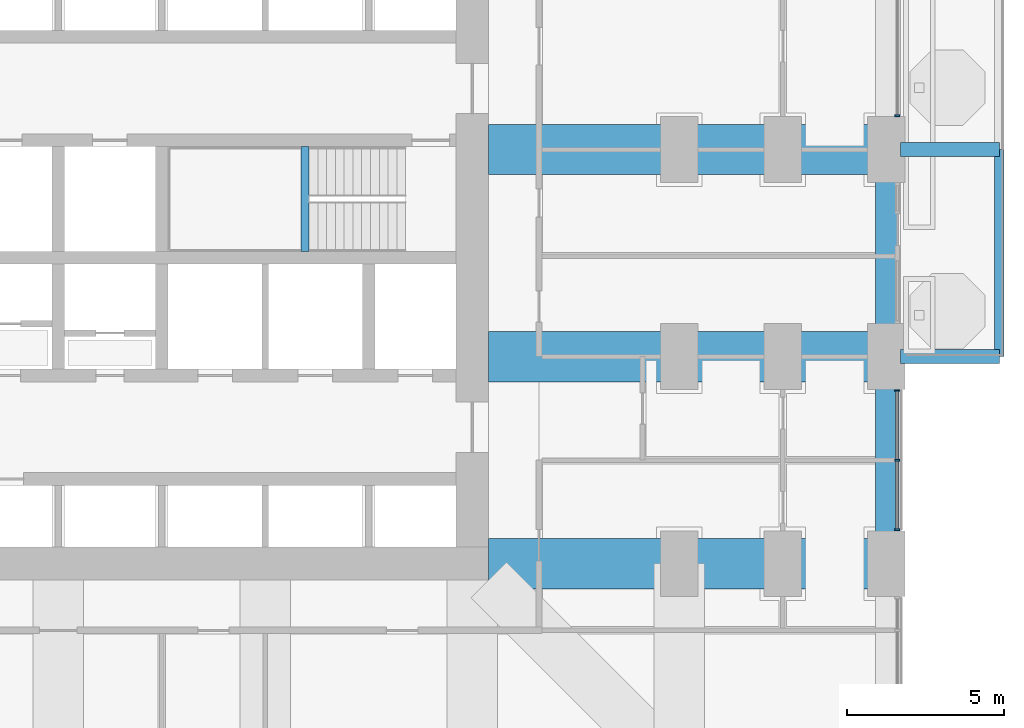
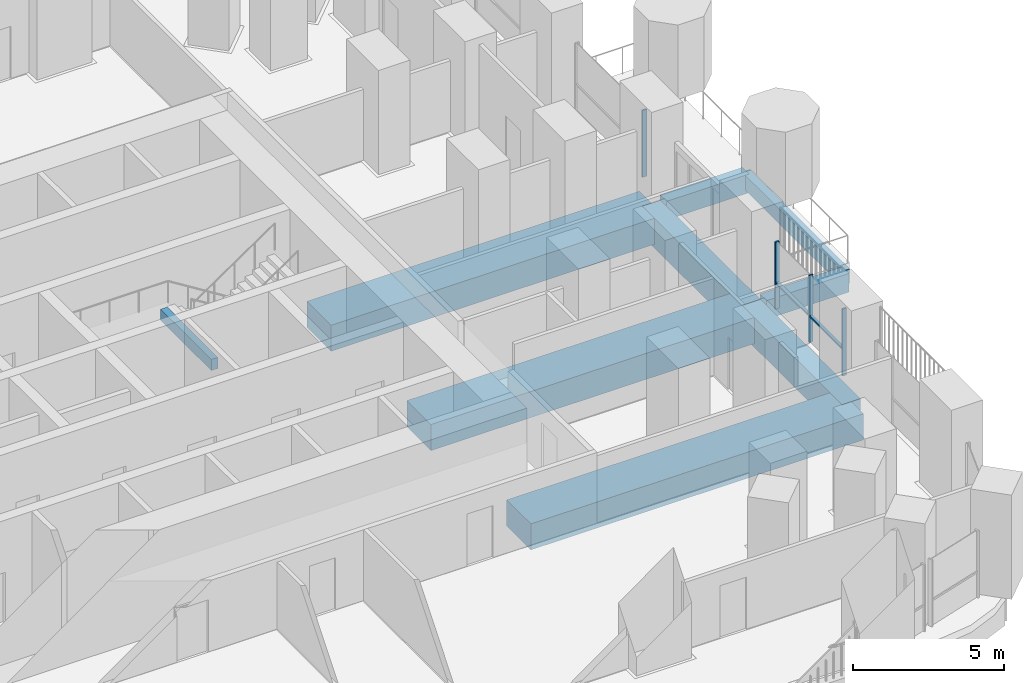
# One storey, part 5 of 26: 9 beams, 6 members, 2 elements without a shape of their own.
"""IFC4 building model written with IfcOpenShell, lengths in metres."""

from ifc_helpers import new_model, si_unit, direction, frame, origin, origin_2d, place, context, subcontext, project, spatial, rectangle, extrude, material, material_profile, profile_set, type_object, element, aggregate, save


model = new_model("IFC4")

# Units and contexts
model_context = context("Model", 3, precision=1e-05, world=origin(), true_north=direction((0.0, 1.0)))
body_context = subcontext(model_context, "Body", "Model", "MODEL_VIEW")
ifc_project = project(units=[si_unit("LENGTHUNIT", "METRE"), si_unit("AREAUNIT", "SQUARE_METRE"), si_unit("VOLUMEUNIT", "CUBIC_METRE"), si_unit("PLANEANGLEUNIT", "RADIAN"), si_unit("MASSUNIT", "GRAM", prefix="KILO")], contexts=[model_context])

# Site, building, storey
site_placement = place(None, origin())
site = spatial("IfcSite", under=ifc_project, at=site_placement, CompositionType="ELEMENT")
building_placement = place(site_placement, origin())
building = spatial("IfcBuilding", under=site, at=building_placement, Name="Cobogo Forest Laboratory Tower", CompositionType="ELEMENT")
storey_placement = place(building_placement, frame((0.0, 0.0, 59.10009765625)))
storey = spatial("IfcBuildingStorey", under=building, at=storey_placement, Name="L13", CompositionType="ELEMENT", Elevation=59.10009765625)

# Beams
ifc_material_1 = material(Name="Concrete HA-40 (C40/50)", Category="concrete")
ifc_material_profile_1 = material_profile(ifc_material_1, rectangle(XDim=0.449951171875, YDim=0.75, at=origin_2d()), Name="RC 450x750")
ifc_profile_set_1 = profile_set([ifc_material_profile_1], Name="Concrete HA-40 (C40/50)")
beam_type_1 = type_object("IfcBeamType", Name="Balcony cantilever beam 450x750", PredefinedType="BEAM", material=ifc_profile_set_1)
for number, where, z_axis, x_axis, name in (
    (1, (53.25, 19.800048828125, -0.625), (1.0, 0.0, 0.0), (0.0, 1.0, 0.0), "CB1 BAL-E1-C1 L13"),
    (2, (53.25, 26.39990234375, -0.625), (1.0, 0.0, 0.0), (0.0, 1.0, 0.0), "CB1 BAL-E1-C2 L13"),
):
    element("IfcBeam", number, at=place(storey_placement, frame(where, z_axis=z_axis, x_axis=x_axis)), inside=storey, type_object=beam_type_1, Name=name, PredefinedType="BEAM", context=body_context, shape_type="SweptSolid", body=[
        extrude(rectangle(XDim=0.449951171875, YDim=0.75, at=origin_2d()), origin(), (0.0, 0.0, 1.0), 3.14990234375),
    ])
ifc_material_profile_2 = material_profile(ifc_material_1, rectangle(XDim=0.300048828125, YDim=0.60009765625, at=origin_2d()), Name="RC 300x600")
ifc_profile_set_2 = profile_set([ifc_material_profile_2], Name="Concrete HA-40 (C40/50)")
beam_type_2 = type_object("IfcBeamType", Name="Balcony edge beam 300x600", PredefinedType="BEAM", material=ifc_profile_set_2)
beam_1_placement = place(storey_placement, frame((56.39990234375, 19.800048828125, -0.550048828125), z_axis=(0.0, 1.0, 0.0), x_axis=(-1.0, 0.0, 0.0)))
element("IfcBeam", 3, at=beam_1_placement, inside=storey, type_object=beam_type_2, Name="BB1 BAL-E1-T1 L13", PredefinedType="BEAM", context=body_context, shape_type="SweptSolid", body=[
    extrude(rectangle(XDim=0.300048828125, YDim=0.60009765625, at=origin_2d()), origin(), (0.0, 0.0, 1.0), 6.599853515625),
])
ifc_material_profile_3 = material_profile(ifc_material_1, rectangle(XDim=0.25, YDim=0.449951171875, at=origin_2d()), Name="RC 250x450")
ifc_profile_set_3 = profile_set([ifc_material_profile_3], Name="Concrete HA-40 (C40/50)")
beam_type_3 = type_object("IfcBeamType", Name="LB1 landing beam 250x450", PredefinedType="BEAM", material=ifc_profile_set_3)
beam_2_placement = place(storey_placement, frame((34.27001953125, 23.14990234375, 1.6748046875), z_axis=(0.0, 1.0, 0.0), x_axis=(-1.0, 0.0, 0.0)))
element("IfcBeam", 4, at=beam_2_placement, inside=storey, type_object=beam_type_3, Name="Landing beam ST2 L13", PredefinedType="BEAM", context=body_context, shape_type="SweptSolid", body=[
    extrude(rectangle(XDim=0.25, YDim=0.449951171875, at=origin_2d()), origin(), (0.0, 0.0, 1.0), 3.35009765625),
])
ifc_material_2 = material(Name="Concrete HA-50 (C50/60)", Category="concrete")
ifc_material_profile_4 = material_profile(ifc_material_2, rectangle(XDim=1.60009765625, YDim=1.050048828125, at=origin_2d()), Name="RC 1600x1050")
ifc_profile_set_4 = profile_set([ifc_material_profile_4], Name="Concrete HA-50 (C50/60)")
beam_type_4 = type_object("IfcBeamType", Name="Laboratory floor wide beam 1600x1050", PredefinedType="BEAM", material=ifc_profile_set_4)
for number, where, z_axis, x_axis, name in (
    (5, (40.125, 13.199951171875, -0.8251953125), (1.0, 0.0, 0.0), (0.0, 1.0, 0.0), "RB8 R-C-E L13"),
    (6, (40.125, 19.800048828125, -0.8251953125), (1.0, 0.0, 0.0), (0.0, 1.0, 0.0), "RB8 R-D-E L13"),
    (7, (40.125, 26.39990234375, -0.8251953125), (1.0, 0.0, 0.0), (0.0, 1.0, 0.0), "RB8 R-E-E L13"),
):
    element("IfcBeam", number, at=place(storey_placement, frame(where, z_axis=z_axis, x_axis=x_axis)), inside=storey, type_object=beam_type_4, Name=name, PredefinedType="BEAM", context=body_context, shape_type="SweptSolid", body=[
        extrude(rectangle(XDim=1.60009765625, YDim=1.050048828125, at=origin_2d()), origin(), (0.0, 0.0, 1.0), 12.675048828125),
    ])

# Curtain wall, members
ifc_material_3 = material(Name="Aluminium curtain wall", Category="aluminium")
curtain_wall_type = type_object("IfcCurtainWallType", Name="CW-1 unitised curtain wall, clear glazing, laboratory floors zones A and B", PredefinedType="USERDEFINED", material=ifc_material_3)
curtain_wall_1_placement = place(storey_placement, origin())
curtain_wall_1 = element("IfcCurtainWall", 8, at=curtain_wall_1_placement, inside=storey, type_object=curtain_wall_type, Name="Curtain wall 11 L13", ObjectType="UNITISED CURTAIN WALL", PredefinedType="USERDEFINED")
ifc_material_4 = material(Name="Aluminium mullion", Category="aluminium")
ifc_material_profile_5 = material_profile(ifc_material_4, rectangle(XDim=0.06005859375, YDim=0.159912109375, at=origin_2d()), Name="AL 60x160")
ifc_profile_set_5 = profile_set([ifc_material_profile_5], Name="Aluminium mullion")
member_type_1 = type_object("IfcMemberType", Name="MU-1 aluminium mullion 60x160", PredefinedType="MULLION", material=ifc_profile_set_5)
member_1_placement = place(storey_placement, frame((53.14990234375, 14.280029296875, 0.0), z_axis=(0.0, 0.0, 1.0), x_axis=(0.0, 1.0, 0.0)))
member_1 = element("IfcMember", 9, at=member_1_placement, type_object=member_type_1, Name="CW-1 mullion 1", PredefinedType="MULLION", context=body_context, shape_type="SweptSolid", body=[
    extrude(rectangle(XDim=0.06005859375, YDim=0.159912109375, at=origin_2d()), origin(), (0.0, 0.0, 1.0), 2.699951171875),
])
member_2_placement = place(storey_placement, frame((53.14990234375, 16.5, 0.0), z_axis=(0.0, 0.0, 1.0), x_axis=(0.0, 1.0, 0.0)))
member_2 = element("IfcMember", 10, at=member_2_placement, type_object=member_type_1, Name="CW-1 mullion 2", PredefinedType="MULLION", context=body_context, shape_type="SweptSolid", body=[
    extrude(rectangle(XDim=0.06005859375, YDim=0.159912109375, at=origin_2d()), origin(), (0.0, 0.0, 1.0), 2.699951171875),
])
member_3_placement = place(storey_placement, frame((53.14990234375, 18.719970703125, 0.0), z_axis=(0.0, 0.0, 1.0), x_axis=(0.0, 1.0, 0.0)))
member_3 = element("IfcMember", 11, at=member_3_placement, type_object=member_type_1, Name="CW-1 mullion 3", PredefinedType="MULLION", context=body_context, shape_type="SweptSolid", body=[
    extrude(rectangle(XDim=0.06005859375, YDim=0.159912109375, at=origin_2d()), origin(), (0.0, 0.0, 1.0), 2.699951171875),
])

# Curtain wall, member
curtain_wall_2_placement = place(storey_placement, origin())
curtain_wall_2 = element("IfcCurtainWall", 12, at=curtain_wall_2_placement, inside=storey, type_object=curtain_wall_type, Name="Curtain wall 13 L13", ObjectType="UNITISED CURTAIN WALL", PredefinedType="USERDEFINED")
member_4_placement = place(storey_placement, frame((53.14990234375, 27.47998046875, 0.0), z_axis=(0.0, 0.0, 1.0), x_axis=(0.0, 1.0, 0.0)))
member_4 = element("IfcMember", 13, at=member_4_placement, type_object=member_type_1, Name="CW-1 mullion 1", PredefinedType="MULLION", context=body_context, shape_type="SweptSolid", body=[
    extrude(rectangle(XDim=0.06005859375, YDim=0.159912109375, at=origin_2d()), origin(), (0.0, 0.0, 1.0), 2.699951171875),
])
aggregate(curtain_wall_2, [member_4])

# Beams
ifc_material_profile_6 = material_profile(ifc_material_1, rectangle(XDim=0.699951171875, YDim=1.199951171875, at=origin_2d()), Name="RC 700x1200")
ifc_profile_set_6 = profile_set([ifc_material_profile_6], Name="Concrete HA-40 (C40/50)")
beam_type_5 = type_object("IfcBeamType", Name="Perimeter edge beam 700x1200", PredefinedType="BEAM", material=ifc_profile_set_6)
beam_3_placement = place(storey_placement, frame((52.800048828125, 13.199951171875, -0.900146484375), z_axis=(0.0, 1.0, 0.0), x_axis=(-1.0, 0.0, 0.0)))
element("IfcBeam", 14, at=beam_3_placement, inside=storey, type_object=beam_type_5, Name="EB1 E-E2 L13", PredefinedType="BEAM", context=body_context, shape_type="SweptSolid", body=[
    extrude(rectangle(XDim=0.699951171875, YDim=1.199951171875, at=origin_2d()), origin(), (0.0, 0.0, 1.0), 6.60009765625),
])
beam_4_placement = place(storey_placement, frame((52.800048828125, 19.800048828125, -0.900146484375), z_axis=(0.0, 1.0, 0.0), x_axis=(-1.0, 0.0, 0.0)))
element("IfcBeam", 15, at=beam_4_placement, inside=storey, type_object=beam_type_5, Name="EB1 E-E3 L13", PredefinedType="BEAM", context=body_context, shape_type="SweptSolid", body=[
    extrude(rectangle(XDim=0.699951171875, YDim=1.199951171875, at=origin_2d()), origin(), (0.0, 0.0, 1.0), 6.599853515625),
])

# Member
ifc_material_5 = material(Name="Aluminium transom", Category="aluminium")
ifc_material_profile_7 = material_profile(ifc_material_5, rectangle(XDim=0.1201171875, YDim=0.06005859375, at=origin_2d()), Name="AL 60x120")
ifc_profile_set_7 = profile_set([ifc_material_profile_7], Name="Aluminium transom")
member_type_2 = type_object("IfcMemberType", Name="TR-1 aluminium transom 60x120", PredefinedType="USERDEFINED", material=ifc_profile_set_7)
member_5_placement = place(storey_placement, frame((53.14990234375, 14.31005859375, 1.0498046875), z_axis=(0.0, 1.0, 0.0), x_axis=(-1.0, 0.0, 0.0)))
member_5 = element("IfcMember", 16, at=member_5_placement, type_object=member_type_2, Name="CW-1 transom 1.1", ObjectType="TRANSOM", PredefinedType="USERDEFINED", context=body_context, shape_type="SweptSolid", body=[
    extrude(rectangle(XDim=0.1201171875, YDim=0.06005859375, at=origin_2d()), origin(), (0.0, 0.0, 1.0), 2.159912109375),
])

member_6_placement = place(storey_placement, frame((53.14990234375, 16.530029296875, 1.0498046875), z_axis=(0.0, 1.0, 0.0), x_axis=(-1.0, 0.0, 0.0)))
member_6 = element("IfcMember", 17, at=member_6_placement, type_object=member_type_2, Name="CW-1 transom 2.1", ObjectType="TRANSOM", PredefinedType="USERDEFINED", context=body_context, shape_type="SweptSolid", body=[
    extrude(rectangle(XDim=0.1201171875, YDim=0.06005859375, at=origin_2d()), origin(), (0.0, 0.0, 1.0), 2.159912109375),
])

aggregate(curtain_wall_1, [member_1, member_2, member_3, member_5, member_6])

save(model, "model.ifc")
